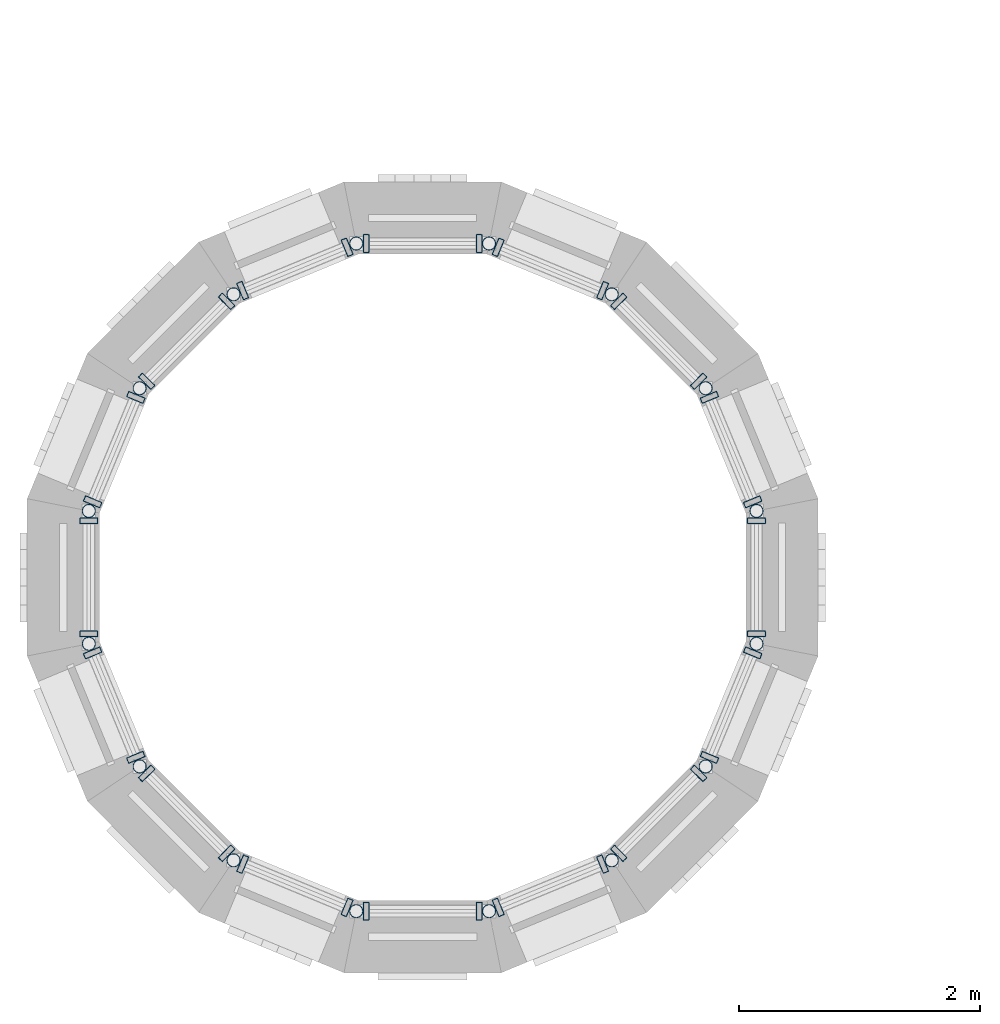
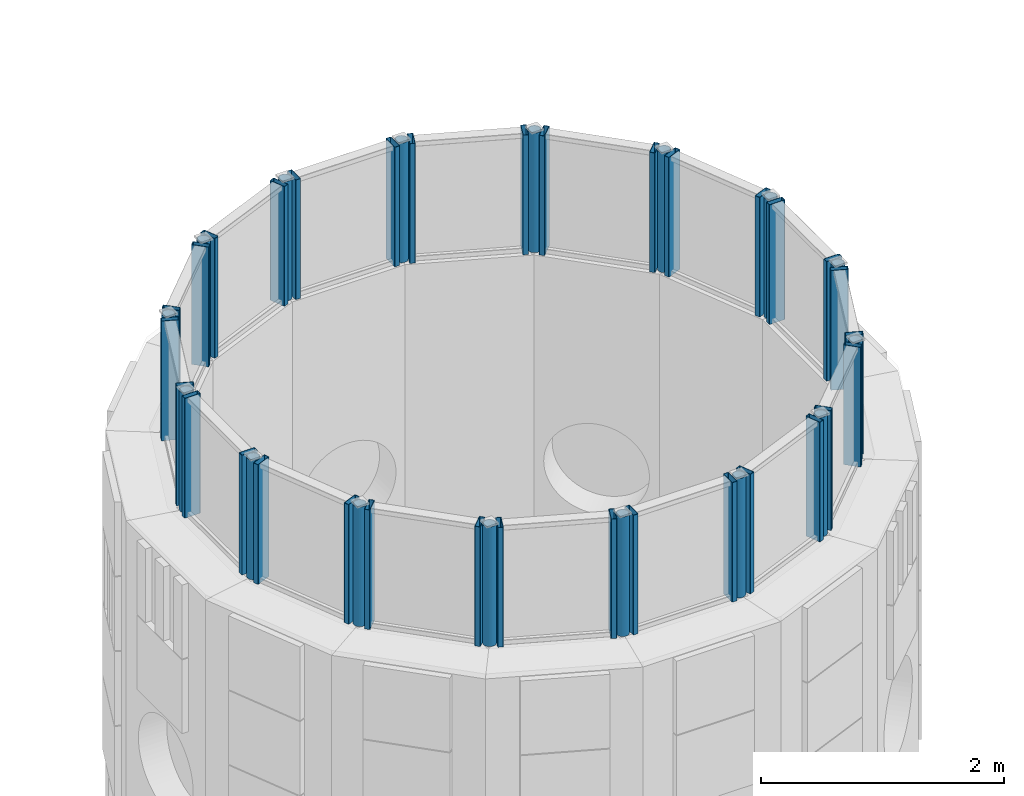
# One storey, part 2 of 36: 48 members, 16 elements without a shape of their own.
"""IFC4 building model written with IfcOpenShell, lengths in metres."""

from ifc_helpers import new_model, si_unit, direction, frame, origin, origin_2d, place, context, subcontext, project, spatial, hollow_rectangle, hollow_circle, extrude, material, material_profile, profile_set, type_object, element, aggregate, save


model = new_model("IFC4")

# Units and contexts
model_context = context("Model", 3, precision=1e-05, world=origin(), true_north=direction((0.0, 1.0)))
body_context = subcontext(model_context, "Body", "Model", "MODEL_VIEW")
ifc_project = project(units=[si_unit("LENGTHUNIT", "METRE"), si_unit("AREAUNIT", "SQUARE_METRE"), si_unit("VOLUMEUNIT", "CUBIC_METRE"), si_unit("PLANEANGLEUNIT", "RADIAN"), si_unit("MASSUNIT", "GRAM", prefix="KILO")], contexts=[model_context])

# Site, building, storey
site_placement = place(None, origin())
site = spatial("IfcSite", under=ifc_project, at=site_placement, CompositionType="ELEMENT")
building_placement = place(site_placement, origin())
building = spatial("IfcBuilding", under=site, at=building_placement, Name="Sun Court Science Centre", CompositionType="ELEMENT")
storey_placement = place(building_placement, frame((0.0, 0.0, 24.75)))
storey = spatial("IfcBuildingStorey", under=building, at=storey_placement, Name="L05", CompositionType="ELEMENT", Elevation=24.75)

# Curtain wall, members
ifc_material_1 = material(Name="Aluminium EN AW-6063 T6", Category="aluminium")
curtain_wall_type = type_object("IfcCurtainWallType", Name="Lantern clerestory curtain wall 1500", PredefinedType="NOTDEFINED", material=ifc_material_1)
curtain_wall_1_placement = place(storey_placement, origin())
curtain_wall_1 = element("IfcCurtainWall", 1, at=curtain_wall_1_placement, inside=storey, type_object=curtain_wall_type, Name="Curtain wall V2 C1 clerestory L05 01", PredefinedType="NOTDEFINED")
ifc_material_2 = material(Name="Aluminium EN AW-6063 T6", Category="aluminium")
ifc_material_profile_1 = material_profile(ifc_material_2, hollow_rectangle(XDim=0.050048828125, YDim=0.14990234375, WallThickness=0.00390625, InnerFilletRadius=0.00390625, OuterFilletRadius=0.006103515625, at=origin_2d()), Name="AL 50x150x4")
ifc_profile_set_1 = profile_set([ifc_material_profile_1], Name="Aluminium EN AW-6063 T6")
member_type_1 = type_object("IfcMemberType", Name="Curtain wall mullion AL 50x150", PredefinedType="MULLION", material=ifc_profile_set_1)
member_1_placement = place(storey_placement, frame((8.742431640625, 12.127685546875, 4.199951171875), z_axis=(0.0, 0.0, 1.0), x_axis=(0.382683432365, -0.923879532511, 0.0)))
member_1 = element("IfcMember", 2, at=member_1_placement, type_object=member_type_1, Name="CW4-01 mullion 2", PredefinedType="MULLION", context=body_context, shape_type="SweptSolid", body=[
    extrude(hollow_rectangle(XDim=0.050048828125, YDim=0.14990234375, WallThickness=0.00390625, InnerFilletRadius=0.00390625, OuterFilletRadius=0.006103515625, at=origin_2d()), origin(), (0.0, 0.0, 1.0), 1.199951171875),
])
member_2_placement = place(storey_placement, frame((8.383056640625, 12.995361328125, 4.199951171875), z_axis=(0.0, 0.0, 1.0), x_axis=(0.382683432365, -0.923879532511, 0.0)))
member_2 = element("IfcMember", 3, at=member_2_placement, type_object=member_type_1, Name="CW4-01 mullion 1", PredefinedType="MULLION", context=body_context, shape_type="SweptSolid", body=[
    extrude(hollow_rectangle(XDim=0.050048828125, YDim=0.14990234375, WallThickness=0.00390625, InnerFilletRadius=0.00390625, OuterFilletRadius=0.006103515625, at=origin_2d()), origin(), (0.0, 0.0, 1.0), 1.199951171875),
])
aggregate(curtain_wall_1, [member_1, member_2])

curtain_wall_2_placement = place(storey_placement, origin())
curtain_wall_2 = element("IfcCurtainWall", 4, at=curtain_wall_2_placement, inside=storey, type_object=curtain_wall_type, Name="Curtain wall V2 C1 clerestory L05 02", PredefinedType="NOTDEFINED")
member_3_placement = place(storey_placement, frame((7.62939453125, 13.79345703125, 4.199951171875), z_axis=(0.0, 0.0, 1.0), x_axis=(0.707106781187, -0.707106781187, 0.0)))
member_3 = element("IfcMember", 5, at=member_3_placement, type_object=member_type_1, Name="CW4-02 mullion 1", PredefinedType="MULLION", context=body_context, shape_type="SweptSolid", body=[
    extrude(hollow_rectangle(XDim=0.050048828125, YDim=0.14990234375, WallThickness=0.00390625, InnerFilletRadius=0.00390625, OuterFilletRadius=0.006103515625, at=origin_2d()), origin(), (0.0, 0.0, 1.0), 1.199951171875),
])
member_4_placement = place(storey_placement, frame((8.29345703125, 13.12939453125, 4.199951171875), z_axis=(0.0, 0.0, 1.0), x_axis=(0.707106781187, -0.707106781187, 0.0)))
member_4 = element("IfcMember", 6, at=member_4_placement, type_object=member_type_1, Name="CW4-02 mullion 2", PredefinedType="MULLION", context=body_context, shape_type="SweptSolid", body=[
    extrude(hollow_rectangle(XDim=0.050048828125, YDim=0.14990234375, WallThickness=0.00390625, InnerFilletRadius=0.00390625, OuterFilletRadius=0.006103515625, at=origin_2d()), origin(), (0.0, 0.0, 1.0), 1.199951171875),
])
aggregate(curtain_wall_2, [member_3, member_4])

curtain_wall_3_placement = place(storey_placement, origin())
curtain_wall_3 = element("IfcCurtainWall", 7, at=curtain_wall_3_placement, inside=storey, type_object=curtain_wall_type, Name="Curtain wall V2 C1 clerestory L05 03", PredefinedType="NOTDEFINED")
member_5_placement = place(storey_placement, frame((6.627685546875, 14.242431640625, 4.199951171875), z_axis=(0.0, 0.0, 1.0), x_axis=(0.923879532511, -0.382683432365, 0.0)))
member_5 = element("IfcMember", 8, at=member_5_placement, type_object=member_type_1, Name="CW4-03 mullion 1", PredefinedType="MULLION", context=body_context, shape_type="SweptSolid", body=[
    extrude(hollow_rectangle(XDim=0.050048828125, YDim=0.14990234375, WallThickness=0.00390625, InnerFilletRadius=0.00390625, OuterFilletRadius=0.006103515625, at=origin_2d()), origin(), (0.0, 0.0, 1.0), 1.199951171875),
])
member_6_placement = place(storey_placement, frame((7.495361328125, 13.883056640625, 4.199951171875), z_axis=(0.0, 0.0, 1.0), x_axis=(0.923879532511, -0.382683432365, 0.0)))
member_6 = element("IfcMember", 9, at=member_6_placement, type_object=member_type_1, Name="CW4-03 mullion 2", PredefinedType="MULLION", context=body_context, shape_type="SweptSolid", body=[
    extrude(hollow_rectangle(XDim=0.050048828125, YDim=0.14990234375, WallThickness=0.00390625, InnerFilletRadius=0.00390625, OuterFilletRadius=0.006103515625, at=origin_2d()), origin(), (0.0, 0.0, 1.0), 1.199951171875),
])
aggregate(curtain_wall_3, [member_5, member_6])

curtain_wall_4_placement = place(storey_placement, origin())
curtain_wall_4 = element("IfcCurtainWall", 10, at=curtain_wall_4_placement, inside=storey, type_object=curtain_wall_type, Name="Curtain wall V2 C1 clerestory L05 04", PredefinedType="NOTDEFINED")
member_7_placement = place(storey_placement, frame((5.5302734375, 14.27392578125, 4.199951171875), z_axis=(0.0, 0.0, 1.0), x_axis=(1.0, 0.0, 0.0)))
member_7 = element("IfcMember", 11, at=member_7_placement, type_object=member_type_1, Name="CW4-04 mullion 1", PredefinedType="MULLION", context=body_context, shape_type="SweptSolid", body=[
    extrude(hollow_rectangle(XDim=0.050048828125, YDim=0.14990234375, WallThickness=0.00390625, InnerFilletRadius=0.00390625, OuterFilletRadius=0.006103515625, at=origin_2d()), origin(), (0.0, 0.0, 1.0), 1.199951171875),
])
member_8_placement = place(storey_placement, frame((6.4697265625, 14.27392578125, 4.199951171875), z_axis=(0.0, 0.0, 1.0), x_axis=(1.0, 0.0, 0.0)))
member_8 = element("IfcMember", 12, at=member_8_placement, type_object=member_type_1, Name="CW4-04 mullion 2", PredefinedType="MULLION", context=body_context, shape_type="SweptSolid", body=[
    extrude(hollow_rectangle(XDim=0.050048828125, YDim=0.14990234375, WallThickness=0.00390625, InnerFilletRadius=0.00390625, OuterFilletRadius=0.006103515625, at=origin_2d()), origin(), (0.0, 0.0, 1.0), 1.199951171875),
])
aggregate(curtain_wall_4, [member_7, member_8])

curtain_wall_5_placement = place(storey_placement, origin())
curtain_wall_5 = element("IfcCurtainWall", 13, at=curtain_wall_5_placement, inside=storey, type_object=curtain_wall_type, Name="Curtain wall V2 C1 clerestory L05 05", PredefinedType="NOTDEFINED")
member_9_placement = place(storey_placement, frame((4.504638671875, 13.883056640625, 4.199951171875), z_axis=(0.0, 0.0, 1.0), x_axis=(0.923879532511, 0.382683432365, 0.0)))
member_9 = element("IfcMember", 14, at=member_9_placement, type_object=member_type_1, Name="CW4-05 mullion 1", PredefinedType="MULLION", context=body_context, shape_type="SweptSolid", body=[
    extrude(hollow_rectangle(XDim=0.050048828125, YDim=0.14990234375, WallThickness=0.00390625, InnerFilletRadius=0.00390625, OuterFilletRadius=0.006103515625, at=origin_2d()), origin(), (0.0, 0.0, 1.0), 1.199951171875),
])
member_10_placement = place(storey_placement, frame((5.372314453125, 14.242431640625, 4.199951171875), z_axis=(0.0, 0.0, 1.0), x_axis=(0.923879532511, 0.382683432365, 0.0)))
member_10 = element("IfcMember", 15, at=member_10_placement, type_object=member_type_1, Name="CW4-05 mullion 2", PredefinedType="MULLION", context=body_context, shape_type="SweptSolid", body=[
    extrude(hollow_rectangle(XDim=0.050048828125, YDim=0.14990234375, WallThickness=0.00390625, InnerFilletRadius=0.00390625, OuterFilletRadius=0.006103515625, at=origin_2d()), origin(), (0.0, 0.0, 1.0), 1.199951171875),
])
aggregate(curtain_wall_5, [member_9, member_10])

curtain_wall_6_placement = place(storey_placement, origin())
curtain_wall_6 = element("IfcCurtainWall", 16, at=curtain_wall_6_placement, inside=storey, type_object=curtain_wall_type, Name="Curtain wall V2 C1 clerestory L05 06", PredefinedType="NOTDEFINED")
member_11_placement = place(storey_placement, frame((3.70654296875, 13.12939453125, 4.199951171875), z_axis=(0.0, 0.0, 1.0), x_axis=(0.707106781187, 0.707106781187, 0.0)))
member_11 = element("IfcMember", 17, at=member_11_placement, type_object=member_type_1, Name="CW4-06 mullion 1", PredefinedType="MULLION", context=body_context, shape_type="SweptSolid", body=[
    extrude(hollow_rectangle(XDim=0.050048828125, YDim=0.14990234375, WallThickness=0.00390625, InnerFilletRadius=0.00390625, OuterFilletRadius=0.006103515625, at=origin_2d()), origin(), (0.0, 0.0, 1.0), 1.199951171875),
])
member_12_placement = place(storey_placement, frame((4.37060546875, 13.79345703125, 4.199951171875), z_axis=(0.0, 0.0, 1.0), x_axis=(0.707106781187, 0.707106781187, 0.0)))
member_12 = element("IfcMember", 18, at=member_12_placement, type_object=member_type_1, Name="CW4-06 mullion 2", PredefinedType="MULLION", context=body_context, shape_type="SweptSolid", body=[
    extrude(hollow_rectangle(XDim=0.050048828125, YDim=0.14990234375, WallThickness=0.00390625, InnerFilletRadius=0.00390625, OuterFilletRadius=0.006103515625, at=origin_2d()), origin(), (0.0, 0.0, 1.0), 1.199951171875),
])
aggregate(curtain_wall_6, [member_11, member_12])

curtain_wall_7_placement = place(storey_placement, origin())
curtain_wall_7 = element("IfcCurtainWall", 19, at=curtain_wall_7_placement, inside=storey, type_object=curtain_wall_type, Name="Curtain wall V2 C1 clerestory L05 07", PredefinedType="NOTDEFINED")
member_13_placement = place(storey_placement, frame((3.257568359375, 12.127685546875, 4.199951171875), z_axis=(0.0, 0.0, 1.0), x_axis=(0.382683432365, 0.923879532511, 0.0)))
member_13 = element("IfcMember", 20, at=member_13_placement, type_object=member_type_1, Name="CW4-07 mullion 1", PredefinedType="MULLION", context=body_context, shape_type="SweptSolid", body=[
    extrude(hollow_rectangle(XDim=0.050048828125, YDim=0.14990234375, WallThickness=0.00390625, InnerFilletRadius=0.00390625, OuterFilletRadius=0.006103515625, at=origin_2d()), origin(), (0.0, 0.0, 1.0), 1.199951171875),
])
member_14_placement = place(storey_placement, frame((3.616943359375, 12.995361328125, 4.199951171875), z_axis=(0.0, 0.0, 1.0), x_axis=(0.382683432365, 0.923879532511, 0.0)))
member_14 = element("IfcMember", 21, at=member_14_placement, type_object=member_type_1, Name="CW4-07 mullion 2", PredefinedType="MULLION", context=body_context, shape_type="SweptSolid", body=[
    extrude(hollow_rectangle(XDim=0.050048828125, YDim=0.14990234375, WallThickness=0.00390625, InnerFilletRadius=0.00390625, OuterFilletRadius=0.006103515625, at=origin_2d()), origin(), (0.0, 0.0, 1.0), 1.199951171875),
])
aggregate(curtain_wall_7, [member_13, member_14])

curtain_wall_8_placement = place(storey_placement, origin())
curtain_wall_8 = element("IfcCurtainWall", 22, at=curtain_wall_8_placement, inside=storey, type_object=curtain_wall_type, Name="Curtain wall V2 C1 clerestory L05 08", PredefinedType="NOTDEFINED")
member_15_placement = place(storey_placement, frame((3.22607421875, 11.0302734375, 4.199951171875), z_axis=(0.0, 0.0, 1.0), x_axis=(0.0, 1.0, 0.0)))
member_15 = element("IfcMember", 23, at=member_15_placement, type_object=member_type_1, Name="CW4-08 mullion 1", PredefinedType="MULLION", context=body_context, shape_type="SweptSolid", body=[
    extrude(hollow_rectangle(XDim=0.050048828125, YDim=0.14990234375, WallThickness=0.00390625, InnerFilletRadius=0.00390625, OuterFilletRadius=0.006103515625, at=origin_2d()), origin(), (0.0, 0.0, 1.0), 1.199951171875),
])
member_16_placement = place(storey_placement, frame((3.22607421875, 11.9697265625, 4.199951171875), z_axis=(0.0, 0.0, 1.0), x_axis=(0.0, 1.0, 0.0)))
member_16 = element("IfcMember", 24, at=member_16_placement, type_object=member_type_1, Name="CW4-08 mullion 2", PredefinedType="MULLION", context=body_context, shape_type="SweptSolid", body=[
    extrude(hollow_rectangle(XDim=0.050048828125, YDim=0.14990234375, WallThickness=0.00390625, InnerFilletRadius=0.00390625, OuterFilletRadius=0.006103515625, at=origin_2d()), origin(), (0.0, 0.0, 1.0), 1.199951171875),
])
aggregate(curtain_wall_8, [member_15, member_16])

curtain_wall_9_placement = place(storey_placement, origin())
curtain_wall_9 = element("IfcCurtainWall", 25, at=curtain_wall_9_placement, inside=storey, type_object=curtain_wall_type, Name="Curtain wall V2 C1 clerestory L05 09", PredefinedType="NOTDEFINED")
member_17_placement = place(storey_placement, frame((3.616943359375, 10.004638671875, 4.199951171875), z_axis=(0.0, 0.0, 1.0), x_axis=(-0.382683432365, 0.923879532511, 0.0)))
member_17 = element("IfcMember", 26, at=member_17_placement, type_object=member_type_1, Name="CW4-09 mullion 1", PredefinedType="MULLION", context=body_context, shape_type="SweptSolid", body=[
    extrude(hollow_rectangle(XDim=0.050048828125, YDim=0.14990234375, WallThickness=0.00390625, InnerFilletRadius=0.00390625, OuterFilletRadius=0.006103515625, at=origin_2d()), origin(), (0.0, 0.0, 1.0), 1.199951171875),
])
member_18_placement = place(storey_placement, frame((3.257568359375, 10.872314453125, 4.199951171875), z_axis=(0.0, 0.0, 1.0), x_axis=(-0.382683432365, 0.923879532511, 0.0)))
member_18 = element("IfcMember", 27, at=member_18_placement, type_object=member_type_1, Name="CW4-09 mullion 2", PredefinedType="MULLION", context=body_context, shape_type="SweptSolid", body=[
    extrude(hollow_rectangle(XDim=0.050048828125, YDim=0.14990234375, WallThickness=0.00390625, InnerFilletRadius=0.00390625, OuterFilletRadius=0.006103515625, at=origin_2d()), origin(), (0.0, 0.0, 1.0), 1.199951171875),
])
aggregate(curtain_wall_9, [member_17, member_18])

curtain_wall_10_placement = place(storey_placement, origin())
curtain_wall_10 = element("IfcCurtainWall", 28, at=curtain_wall_10_placement, inside=storey, type_object=curtain_wall_type, Name="Curtain wall V2 C1 clerestory L05 10", PredefinedType="NOTDEFINED")
member_19_placement = place(storey_placement, frame((3.70654296875, 9.87060546875, 4.199951171875), z_axis=(0.0, 0.0, 1.0), x_axis=(-0.707106781187, 0.707106781187, 0.0)))
member_19 = element("IfcMember", 29, at=member_19_placement, type_object=member_type_1, Name="CW4-10 mullion 2", PredefinedType="MULLION", context=body_context, shape_type="SweptSolid", body=[
    extrude(hollow_rectangle(XDim=0.050048828125, YDim=0.14990234375, WallThickness=0.00390625, InnerFilletRadius=0.00390625, OuterFilletRadius=0.006103515625, at=origin_2d()), origin(), (0.0, 0.0, 1.0), 1.199951171875),
])
member_20_placement = place(storey_placement, frame((4.37060546875, 9.20654296875, 4.199951171875), z_axis=(0.0, 0.0, 1.0), x_axis=(-0.707106781187, 0.707106781187, 0.0)))
member_20 = element("IfcMember", 30, at=member_20_placement, type_object=member_type_1, Name="CW4-10 mullion 1", PredefinedType="MULLION", context=body_context, shape_type="SweptSolid", body=[
    extrude(hollow_rectangle(XDim=0.050048828125, YDim=0.14990234375, WallThickness=0.00390625, InnerFilletRadius=0.00390625, OuterFilletRadius=0.006103515625, at=origin_2d()), origin(), (0.0, 0.0, 1.0), 1.199951171875),
])
aggregate(curtain_wall_10, [member_19, member_20])

curtain_wall_11_placement = place(storey_placement, origin())
curtain_wall_11 = element("IfcCurtainWall", 31, at=curtain_wall_11_placement, inside=storey, type_object=curtain_wall_type, Name="Curtain wall V2 C1 clerestory L05 11", PredefinedType="NOTDEFINED")
member_21_placement = place(storey_placement, frame((4.504638671875, 9.116943359375, 4.199951171875), z_axis=(0.0, 0.0, 1.0), x_axis=(-0.923879532511, 0.382683432365, 0.0)))
member_21 = element("IfcMember", 32, at=member_21_placement, type_object=member_type_1, Name="CW4-11 mullion 2", PredefinedType="MULLION", context=body_context, shape_type="SweptSolid", body=[
    extrude(hollow_rectangle(XDim=0.050048828125, YDim=0.14990234375, WallThickness=0.00390625, InnerFilletRadius=0.00390625, OuterFilletRadius=0.006103515625, at=origin_2d()), origin(), (0.0, 0.0, 1.0), 1.199951171875),
])
member_22_placement = place(storey_placement, frame((5.372314453125, 8.757568359375, 4.199951171875), z_axis=(0.0, 0.0, 1.0), x_axis=(-0.923879532511, 0.382683432365, 0.0)))
member_22 = element("IfcMember", 33, at=member_22_placement, type_object=member_type_1, Name="CW4-11 mullion 1", PredefinedType="MULLION", context=body_context, shape_type="SweptSolid", body=[
    extrude(hollow_rectangle(XDim=0.050048828125, YDim=0.14990234375, WallThickness=0.00390625, InnerFilletRadius=0.00390625, OuterFilletRadius=0.006103515625, at=origin_2d()), origin(), (0.0, 0.0, 1.0), 1.199951171875),
])
aggregate(curtain_wall_11, [member_21, member_22])

curtain_wall_12_placement = place(storey_placement, origin())
curtain_wall_12 = element("IfcCurtainWall", 34, at=curtain_wall_12_placement, inside=storey, type_object=curtain_wall_type, Name="Curtain wall V2 C1 clerestory L05 12", PredefinedType="NOTDEFINED")
member_23_placement = place(storey_placement, frame((5.5302734375, 8.72607421875, 4.199951171875), z_axis=(0.0, 0.0, 1.0), x_axis=(-1.0, 0.0, 0.0)))
member_23 = element("IfcMember", 35, at=member_23_placement, type_object=member_type_1, Name="CW4-12 mullion 2", PredefinedType="MULLION", context=body_context, shape_type="SweptSolid", body=[
    extrude(hollow_rectangle(XDim=0.050048828125, YDim=0.14990234375, WallThickness=0.00390625, InnerFilletRadius=0.00390625, OuterFilletRadius=0.006103515625, at=origin_2d()), origin(), (0.0, 0.0, 1.0), 1.199951171875),
])
member_24_placement = place(storey_placement, frame((6.4697265625, 8.72607421875, 4.199951171875), z_axis=(0.0, 0.0, 1.0), x_axis=(-1.0, 0.0, 0.0)))
member_24 = element("IfcMember", 36, at=member_24_placement, type_object=member_type_1, Name="CW4-12 mullion 1", PredefinedType="MULLION", context=body_context, shape_type="SweptSolid", body=[
    extrude(hollow_rectangle(XDim=0.050048828125, YDim=0.14990234375, WallThickness=0.00390625, InnerFilletRadius=0.00390625, OuterFilletRadius=0.006103515625, at=origin_2d()), origin(), (0.0, 0.0, 1.0), 1.199951171875),
])
aggregate(curtain_wall_12, [member_23, member_24])

curtain_wall_13_placement = place(storey_placement, origin())
curtain_wall_13 = element("IfcCurtainWall", 37, at=curtain_wall_13_placement, inside=storey, type_object=curtain_wall_type, Name="Curtain wall V2 C1 clerestory L05 13", PredefinedType="NOTDEFINED")
member_25_placement = place(storey_placement, frame((6.627685546875, 8.757568359375, 4.199951171875), z_axis=(0.0, 0.0, 1.0), x_axis=(-0.923879532511, -0.382683432365, 0.0)))
member_25 = element("IfcMember", 38, at=member_25_placement, type_object=member_type_1, Name="CW4-13 mullion 2", PredefinedType="MULLION", context=body_context, shape_type="SweptSolid", body=[
    extrude(hollow_rectangle(XDim=0.050048828125, YDim=0.14990234375, WallThickness=0.00390625, InnerFilletRadius=0.00390625, OuterFilletRadius=0.006103515625, at=origin_2d()), origin(), (0.0, 0.0, 1.0), 1.199951171875),
])
member_26_placement = place(storey_placement, frame((7.495361328125, 9.116943359375, 4.199951171875), z_axis=(0.0, 0.0, 1.0), x_axis=(-0.923879532511, -0.382683432365, 0.0)))
member_26 = element("IfcMember", 39, at=member_26_placement, type_object=member_type_1, Name="CW4-13 mullion 1", PredefinedType="MULLION", context=body_context, shape_type="SweptSolid", body=[
    extrude(hollow_rectangle(XDim=0.050048828125, YDim=0.14990234375, WallThickness=0.00390625, InnerFilletRadius=0.00390625, OuterFilletRadius=0.006103515625, at=origin_2d()), origin(), (0.0, 0.0, 1.0), 1.199951171875),
])
aggregate(curtain_wall_13, [member_25, member_26])

curtain_wall_14_placement = place(storey_placement, origin())
curtain_wall_14 = element("IfcCurtainWall", 40, at=curtain_wall_14_placement, inside=storey, type_object=curtain_wall_type, Name="Curtain wall V2 C1 clerestory L05 14", PredefinedType="NOTDEFINED")
member_27_placement = place(storey_placement, frame((7.62939453125, 9.20654296875, 4.199951171875), z_axis=(0.0, 0.0, 1.0), x_axis=(-0.707106781187, -0.707106781187, 0.0)))
member_27 = element("IfcMember", 41, at=member_27_placement, type_object=member_type_1, Name="CW4-14 mullion 2", PredefinedType="MULLION", context=body_context, shape_type="SweptSolid", body=[
    extrude(hollow_rectangle(XDim=0.050048828125, YDim=0.14990234375, WallThickness=0.00390625, InnerFilletRadius=0.00390625, OuterFilletRadius=0.006103515625, at=origin_2d()), origin(), (0.0, 0.0, 1.0), 1.199951171875),
])
member_28_placement = place(storey_placement, frame((8.29345703125, 9.87060546875, 4.199951171875), z_axis=(0.0, 0.0, 1.0), x_axis=(-0.707106781187, -0.707106781187, 0.0)))
member_28 = element("IfcMember", 42, at=member_28_placement, type_object=member_type_1, Name="CW4-14 mullion 1", PredefinedType="MULLION", context=body_context, shape_type="SweptSolid", body=[
    extrude(hollow_rectangle(XDim=0.050048828125, YDim=0.14990234375, WallThickness=0.00390625, InnerFilletRadius=0.00390625, OuterFilletRadius=0.006103515625, at=origin_2d()), origin(), (0.0, 0.0, 1.0), 1.199951171875),
])
aggregate(curtain_wall_14, [member_27, member_28])

curtain_wall_15_placement = place(storey_placement, origin())
curtain_wall_15 = element("IfcCurtainWall", 43, at=curtain_wall_15_placement, inside=storey, type_object=curtain_wall_type, Name="Curtain wall V2 C1 clerestory L05 15", PredefinedType="NOTDEFINED")
member_29_placement = place(storey_placement, frame((8.383056640625, 10.004638671875, 4.199951171875), z_axis=(0.0, 0.0, 1.0), x_axis=(-0.382683432365, -0.923879532511, 0.0)))
member_29 = element("IfcMember", 44, at=member_29_placement, type_object=member_type_1, Name="CW4-15 mullion 2", PredefinedType="MULLION", context=body_context, shape_type="SweptSolid", body=[
    extrude(hollow_rectangle(XDim=0.050048828125, YDim=0.14990234375, WallThickness=0.00390625, InnerFilletRadius=0.00390625, OuterFilletRadius=0.006103515625, at=origin_2d()), origin(), (0.0, 0.0, 1.0), 1.199951171875),
])
member_30_placement = place(storey_placement, frame((8.742431640625, 10.872314453125, 4.199951171875), z_axis=(0.0, 0.0, 1.0), x_axis=(-0.382683432365, -0.923879532511, 0.0)))
member_30 = element("IfcMember", 45, at=member_30_placement, type_object=member_type_1, Name="CW4-15 mullion 1", PredefinedType="MULLION", context=body_context, shape_type="SweptSolid", body=[
    extrude(hollow_rectangle(XDim=0.050048828125, YDim=0.14990234375, WallThickness=0.00390625, InnerFilletRadius=0.00390625, OuterFilletRadius=0.006103515625, at=origin_2d()), origin(), (0.0, 0.0, 1.0), 1.199951171875),
])
aggregate(curtain_wall_15, [member_29, member_30])

curtain_wall_16_placement = place(storey_placement, origin())
curtain_wall_16 = element("IfcCurtainWall", 46, at=curtain_wall_16_placement, inside=storey, type_object=curtain_wall_type, Name="Curtain wall V2 C1 clerestory L05 16", PredefinedType="NOTDEFINED")
member_31_placement = place(storey_placement, frame((8.77392578125, 11.0302734375, 4.199951171875), z_axis=(0.0, 0.0, 1.0), x_axis=(0.0, -1.0, 0.0)))
member_31 = element("IfcMember", 47, at=member_31_placement, type_object=member_type_1, Name="CW4-16 mullion 2", PredefinedType="MULLION", context=body_context, shape_type="SweptSolid", body=[
    extrude(hollow_rectangle(XDim=0.050048828125, YDim=0.14990234375, WallThickness=0.00390625, InnerFilletRadius=0.00390625, OuterFilletRadius=0.006103515625, at=origin_2d()), origin(), (0.0, 0.0, 1.0), 1.199951171875),
])
member_32_placement = place(storey_placement, frame((8.77392578125, 11.9697265625, 4.199951171875), z_axis=(0.0, 0.0, 1.0), x_axis=(0.0, -1.0, 0.0)))
member_32 = element("IfcMember", 48, at=member_32_placement, type_object=member_type_1, Name="CW4-16 mullion 1", PredefinedType="MULLION", context=body_context, shape_type="SweptSolid", body=[
    extrude(hollow_rectangle(XDim=0.050048828125, YDim=0.14990234375, WallThickness=0.00390625, InnerFilletRadius=0.00390625, OuterFilletRadius=0.006103515625, at=origin_2d()), origin(), (0.0, 0.0, 1.0), 1.199951171875),
])
aggregate(curtain_wall_16, [member_31, member_32])

# Members
ifc_material_3 = material(Name="Steel S355", Category="steel")
ifc_material_profile_2 = material_profile(ifc_material_3, hollow_circle(Radius=0.05712890625, WallThickness=0.00634765625, at=origin_2d()), Name="CHS 114.3x6.3")
ifc_profile_set_2 = profile_set([ifc_material_profile_2], Name="Steel S355")
member_type_2 = type_object("IfcMemberType", Name="Lantern post CHS 114.3x6.3", PredefinedType="POST", material=ifc_profile_set_2)
for number, where, z_axis, x_axis, name in (
    (49, (8.77392578125, 12.0517578125, 4.199951171875), (0.0, 0.0, 1.0), (1.0, 0.0, 0.0), "Cone 1 clerestory post 1"),
    (50, (8.3515625, 13.0712890625, 4.199951171875), (0.0, 0.0, 1.0), (1.0, 0.0, 0.0), "Cone 1 clerestory post 2"),
    (51, (7.5712890625, 13.8515625, 4.199951171875), (0.0, 0.0, 1.0), (1.0, 0.0, 0.0), "Cone 1 clerestory post 3"),
    (52, (6.5517578125, 14.27392578125, 4.199951171875), (0.0, 0.0, 1.0), (1.0, 0.0, 0.0), "Cone 1 clerestory post 4"),
    (53, (5.4482421875, 14.27392578125, 4.199951171875), (0.0, 0.0, 1.0), (1.0, 0.0, 0.0), "Cone 1 clerestory post 5"),
    (54, (4.4287109375, 13.8515625, 4.199951171875), (0.0, 0.0, 1.0), (1.0, 0.0, 0.0), "Cone 1 clerestory post 6"),
    (55, (3.6484375, 13.0712890625, 4.199951171875), (0.0, 0.0, 1.0), (1.0, 0.0, 0.0), "Cone 1 clerestory post 7"),
    (56, (3.22607421875, 12.0517578125, 4.199951171875), (0.0, 0.0, 1.0), (1.0, 0.0, 0.0), "Cone 1 clerestory post 8"),
    (57, (3.22607421875, 10.9482421875, 4.199951171875), (0.0, 0.0, 1.0), (1.0, 0.0, 0.0), "Cone 1 clerestory post 9"),
    (58, (3.6484375, 9.9287109375, 4.199951171875), (0.0, 0.0, 1.0), (1.0, 0.0, 0.0), "Cone 1 clerestory post 10"),
    (59, (4.4287109375, 9.1484375, 4.199951171875), (0.0, 0.0, 1.0), (1.0, 0.0, 0.0), "Cone 1 clerestory post 11"),
    (60, (5.4482421875, 8.72607421875, 4.199951171875), (0.0, 0.0, 1.0), (1.0, 0.0, 0.0), "Cone 1 clerestory post 12"),
    (61, (6.5517578125, 8.72607421875, 4.199951171875), (0.0, 0.0, 1.0), (1.0, 0.0, 0.0), "Cone 1 clerestory post 13"),
    (62, (7.5712890625, 9.1484375, 4.199951171875), (0.0, 0.0, 1.0), (1.0, 0.0, 0.0), "Cone 1 clerestory post 14"),
    (63, (8.3515625, 9.9287109375, 4.199951171875), (0.0, 0.0, 1.0), (1.0, 0.0, 0.0), "Cone 1 clerestory post 15"),
    (64, (8.77392578125, 10.9482421875, 4.199951171875), (0.0, 0.0, 1.0), (1.0, 0.0, 0.0), "Cone 1 clerestory post 16"),
):
    element("IfcMember", number, at=place(storey_placement, frame(where, z_axis=z_axis, x_axis=x_axis)), inside=storey, type_object=member_type_2, Name=name, PredefinedType="POST", context=body_context, shape_type="SweptSolid", body=[
        extrude(hollow_circle(Radius=0.05712890625, WallThickness=0.00634765625, at=origin_2d()), origin(), (0.0, 0.0, 1.0), 1.199951171875),
    ])

save(model, "model.ifc")
